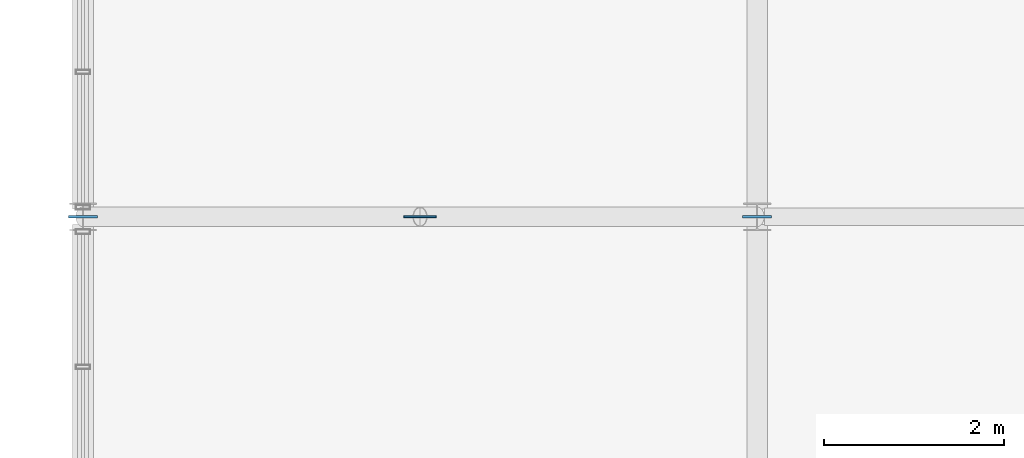
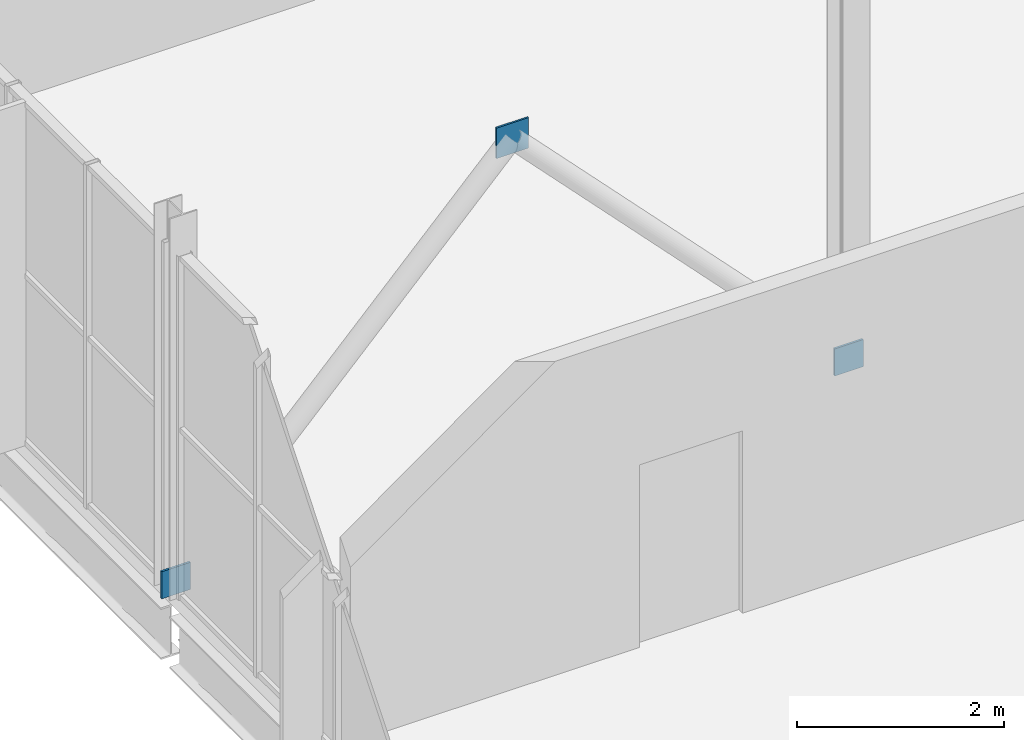
# One storey, part 289 of 324: 3 plates.
"""IFC4 building model written with IfcOpenShell, lengths in metres."""

import ifcopenshell
import ifcopenshell.guid

model = None  # the IFC model being written
_history = None  # IfcOwnerHistory: only IFC2X3 demands one
_inside = {}  # id of a spatial element -> (the spatial element, [elements in it])
_under = {}  # id of a project, library or spatial element -> (it, [spatial elements below it])
_declared = {}  # id of a project -> (the project, [libraries it declares])
_typed = {}  # id of a type object -> (the type object, [elements of that type])
_made_of = {}  # id of a material, layer set ... -> (it, [elements and type objects made of it])


def new_model(schema):
    """Start an empty IFC model of exactly this schema.

    Asked for "IFC4X3", IfcOpenShell would pick the latest addendum, in which some entities
    have other attributes; the version numbers below select the first issue.
    IFC2X3 requires an IfcOwnerHistory on every rooted entity: one is made here for all.
    """
    global model, _history
    if schema == "IFC4X3":
        model = ifcopenshell.file(schema_version=(4, 3, 0, 0))
    else:
        model = ifcopenshell.file(schema=schema)
    _inside.clear()
    _under.clear()
    _declared.clear()
    _typed.clear()
    _made_of.clear()
    _history = None
    if model.schema == "IFC2X3":
        org = make("IfcOrganization", Name="unknown")
        user = make(
            "IfcPersonAndOrganization",
            ThePerson=make("IfcPerson", FamilyName="unknown"),
            TheOrganization=org,
        )
        app = make(
            "IfcApplication",
            ApplicationDeveloper=org,
            Version="unknown",
            ApplicationFullName="unknown",
            ApplicationIdentifier="unknown",
        )
        _history = make(
            "IfcOwnerHistory",
            OwningUser=user,
            OwningApplication=app,
            ChangeAction="ADDED",
            CreationDate=0,
        )
    return model


def make(cls, **values):
    """One entity of the class cls with the attributes given. An attribute that is None is left unset."""
    return model.create_entity(
        cls, **{name: value for name, value in values.items() if value is not None}
    )


def rooted(cls, **values):
    """An entity with a GlobalId (a new one), such as an element, a storey or a relation."""
    return make(cls, GlobalId=ifcopenshell.guid.new(), OwnerHistory=_history, **values)


def si_unit(unit_type, name, prefix=None):
    """IfcSIUnit, for example si_unit("LENGTHUNIT", "METRE", prefix="MILLI")."""
    return make("IfcSIUnit", UnitType=unit_type, Prefix=prefix, Name=name)


def assignment(units):
    """IfcUnitAssignment: the units of a project."""
    return None if units is None else make("IfcUnitAssignment", Units=units)


def point(xyz):
    """IfcCartesianPoint."""
    return None if xyz is None else make("IfcCartesianPoint", Coordinates=xyz)


def direction(xyz):
    """IfcDirection."""
    return None if xyz is None else make("IfcDirection", DirectionRatios=xyz)


def frame(location, z_axis=None, x_axis=None):
    """IfcAxis2Placement3D, a coordinate frame: its origin and axes. An axis left out is left unset."""
    return make(
        "IfcAxis2Placement3D",
        Location=point(location),
        Axis=direction(z_axis),
        RefDirection=direction(x_axis),
    )


def frame_2d(location, x_axis=None):
    """IfcAxis2Placement2D, a coordinate frame in the plane: its origin and x axis."""
    return make(
        "IfcAxis2Placement2D", Location=point(location), RefDirection=direction(x_axis)
    )


def origin():
    """The frame at (0, 0, 0) with its axes left unset."""
    return frame((0.0, 0.0, 0.0))


def origin_2d():
    """The frame at (0, 0) in the plane with its x axis left unset."""
    return frame_2d((0.0, 0.0))


def place(relative_to, where):
    """IfcLocalPlacement: puts the frame where relative to a parent placement (None: the world)."""
    return make(
        "IfcLocalPlacement", PlacementRelTo=relative_to, RelativePlacement=where
    )


def context(
    kind, dimensions, precision=None, world=None, true_north=None, identifier=None
):
    """IfcGeometricRepresentationContext, for example the 3D "Model" context."""
    return make(
        "IfcGeometricRepresentationContext",
        ContextIdentifier=identifier,
        ContextType=kind,
        CoordinateSpaceDimension=dimensions,
        Precision=precision,
        WorldCoordinateSystem=world,
        TrueNorth=true_north,
    )


def subcontext(parent, identifier, kind, view, scale=None):
    """IfcGeometricRepresentationSubContext, for example "Body" below "Model"."""
    return make(
        "IfcGeometricRepresentationSubContext",
        ContextIdentifier=identifier,
        ContextType=kind,
        ParentContext=parent,
        TargetScale=scale,
        TargetView=view,
    )


def project(units=None, contexts=None):
    """IfcProject with its units and contexts."""
    return rooted(
        "IfcProject",
        Name="project",
        RepresentationContexts=contexts,
        UnitsInContext=assignment(units),
    )


def spatial(cls, under=None, at=None, **own):
    """A site, building, storey or space (cls), placed at a placement, below another one or the project."""
    s = rooted(cls, ObjectPlacement=at, **own)
    if under is not None:
        _under.setdefault(under.id(), (under, []))[1].append(s)
    return s


def profile(cls, at=None, kind="AREA", **sizes):
    """A parametric profile (cls). Its sizes go by their IFC names, for example OverallWidth=200.0."""
    return make(cls, ProfileType=kind, Position=at, **sizes)


def rectangle(**sizes):
    """IfcRectangleProfileDef."""
    return profile("IfcRectangleProfileDef", **sizes)


def extrude(swept, where, along, depth):
    """IfcExtrudedAreaSolid: the profile swept, set in the frame where, extruded along a direction by depth."""
    return make(
        "IfcExtrudedAreaSolid",
        SweptArea=swept,
        Position=where,
        ExtrudedDirection=direction(along),
        Depth=depth,
    )


def shape(context_of_items, identifier, shape_type, items):
    """IfcShapeRepresentation: the items that make up one representation, for example the "Body"."""
    return make(
        "IfcShapeRepresentation",
        ContextOfItems=context_of_items,
        RepresentationIdentifier=identifier,
        RepresentationType=shape_type,
        Items=items,
    )


def material(Name=None, Category=None):
    """IfcMaterial."""
    return make("IfcMaterial", Name=Name, Category=Category)


def layer(
    of_material, thickness, ventilated=None, Name=None, Category=None, Priority=None
):
    """IfcMaterialLayer: one layer of a wall or slab, of a material (None: an air gap)."""
    return make(
        "IfcMaterialLayer",
        Material=of_material,
        LayerThickness=thickness,
        IsVentilated=ventilated,
        Name=Name,
        Category=Category,
        Priority=Priority,
    )


def layer_set(layers, Name=None):
    """IfcMaterialLayerSet."""
    return make("IfcMaterialLayerSet", MaterialLayers=layers, LayerSetName=Name)


def made_of(thing, what):
    """Note that an element or type object is made of a material, layer set ...; save() writes the relation."""
    if what is not None:
        _made_of.setdefault(what.id(), (what, []))[1].append(thing)
    return thing


def type_object(cls, material=None, **own):
    """A type object (cls), such as IfcWallType, which elements share."""
    return made_of(rooted(cls, **own), material)


def element(
    cls,
    number,
    at=None,
    inside=None,
    cuts=None,
    type_object=None,
    material=None,
    context=None,
    identifier="Body",
    shape_type=None,
    held_by="IfcProductDefinitionShape",
    body=None,
    shapes=None,
    **own,
):
    """One element of the class cls, such as IfcWall. Its Tag is "e" and its number.

    at: its placement. inside: the storey or other place that contains it. cuts: it is an
    opening in that element (IfcRelVoidsElement). A single representation is given by context,
    identifier, shape_type and body (its items); several are given by shapes. held_by: the class
    of the entity that holds the representations. save() writes the other relations.
    """
    e = rooted(cls, Tag="e%d" % number, ObjectPlacement=at, **own)
    if body is not None:
        shapes = [shape(context, identifier, shape_type, body)]
    if shapes is not None:
        e.Representation = make(held_by, Representations=shapes)
    if inside is not None:
        _inside.setdefault(inside.id(), (inside, []))[1].append(e)
    if cuts is not None:
        rooted(
            "IfcRelVoidsElement", RelatingBuildingElement=cuts, RelatedOpeningElement=e
        )
    if type_object is not None:
        _typed.setdefault(type_object.id(), (type_object, []))[1].append(e)
    return made_of(e, material)


def aggregate(whole, parts):
    """IfcRelAggregates: a whole, such as a stair, and the parts it consists of."""
    return rooted("IfcRelAggregates", RelatingObject=whole, RelatedObjects=parts)


def save(model, path):
    """Write the relations noted so far, then the file.

    IfcRelAggregates (storeys below a building ...), IfcRelContainedInSpatialStructure (elements
    in a storey), IfcRelDefinesByType, IfcRelAssociatesMaterial and IfcRelDeclares: one each for
    every whole, place, type object, material and project.
    """
    for whole, parts in _under.values():
        aggregate(whole, parts)
    for where, things in _inside.values():
        rooted(
            "IfcRelContainedInSpatialStructure",
            RelatedElements=things,
            RelatingStructure=where,
        )
    for kind, things in _typed.values():
        rooted("IfcRelDefinesByType", RelatedObjects=things, RelatingType=kind)
    for what, things in _made_of.values():
        rooted("IfcRelAssociatesMaterial", RelatedObjects=things, RelatingMaterial=what)
    for by, libraries in _declared.values():
        rooted("IfcRelDeclares", RelatingContext=by, RelatedDefinitions=libraries)
    model.write(path)


model = new_model("IFC4")

# Units and contexts
model_context = context("Model", 3, precision=1e-05, world=origin(), true_north=direction((0.0, 1.0)))
body_context = subcontext(model_context, "Body", "Model", "MODEL_VIEW")
ifc_project = project(units=[si_unit("LENGTHUNIT", "METRE"), si_unit("AREAUNIT", "SQUARE_METRE"), si_unit("VOLUMEUNIT", "CUBIC_METRE"), si_unit("PLANEANGLEUNIT", "RADIAN"), si_unit("MASSUNIT", "GRAM", prefix="KILO")], contexts=[model_context])

# Site, building, storey
site_placement = place(None, origin())
site = spatial("IfcSite", under=ifc_project, at=site_placement, CompositionType="ELEMENT")
building_placement = place(site_placement, origin())
building = spatial("IfcBuilding", under=site, at=building_placement, Name="Solvenia Promenade Tram Depot", CompositionType="ELEMENT")
storey_placement = place(building_placement, frame((0.0, 0.0, 4.5)))
storey = spatial("IfcBuildingStorey", under=building, at=storey_placement, Name="L01", CompositionType="ELEMENT", Elevation=4.5)

# Plates
ifc_material = material(Name="Structural steel ASTM A572 Gr. 50", Category="steel")
ifc_layer_1 = layer(ifc_material, 0.02392578125, Name="Structural steel ASTM A572 Gr. 50", Category="steel")
ifc_layer_set_1 = layer_set([ifc_layer_1], Name="Structural steel ASTM A572 Gr. 50")
plate_type_1 = type_object("IfcPlateType", Name="EndCap-CP1", PredefinedType="SHEET", material=ifc_layer_set_1)
for number, where, z_axis, x_axis, name in (
    (1, (0.0, 38.0, -0.06005859375), (0.0, 0.0, 1.0), (1.0, 0.0, 0.0), "Chevron Left Foot Gusset Plate 11"),
    (2, (7.5, 38.0, -0.06005859375), (0.0, 0.0, 1.0), (1.0, 0.0, 0.0), "Chevron Right Foot Gusset Plate 11"),
):
    element("IfcPlate", number, at=place(storey_placement, frame(where, z_axis=z_axis, x_axis=x_axis)), inside=storey, type_object=plate_type_1, Name=name, PredefinedType="SHEET", context=body_context, shape_type="SweptSolid", body=[
        extrude(rectangle(XDim=0.320068359375, YDim=0.02392578125, at=origin_2d()), origin(), (0.0, 0.0, 1.0), 0.320068359375),
    ])
ifc_layer_2 = layer(ifc_material, 0.02099609375, Name="Structural steel ASTM A572 Gr. 50", Category="steel")
ifc_layer_set_2 = layer_set([ifc_layer_2], Name="Structural steel ASTM A572 Gr. 50")
plate_type_2 = type_object("IfcPlateType", Name="EndCap-CP3", PredefinedType="SHEET", material=ifc_layer_set_2)
plate_placement = place(storey_placement, frame((3.75, 38.0, 3.81982421875), z_axis=(0.0, 0.0, 1.0), x_axis=(1.0, 0.0, 0.0)))
element("IfcPlate", 3, at=plate_placement, inside=storey, type_object=plate_type_2, Name="Chevron Gusset Cap Plate 11", PredefinedType="SHEET", context=body_context, shape_type="SweptSolid", body=[
    extrude(rectangle(XDim=0.360107421875, YDim=0.02001953125, at=origin_2d()), origin(), (0.0, 0.0, 1.0), 0.360107421875),
])

save(model, "model.ifc")
